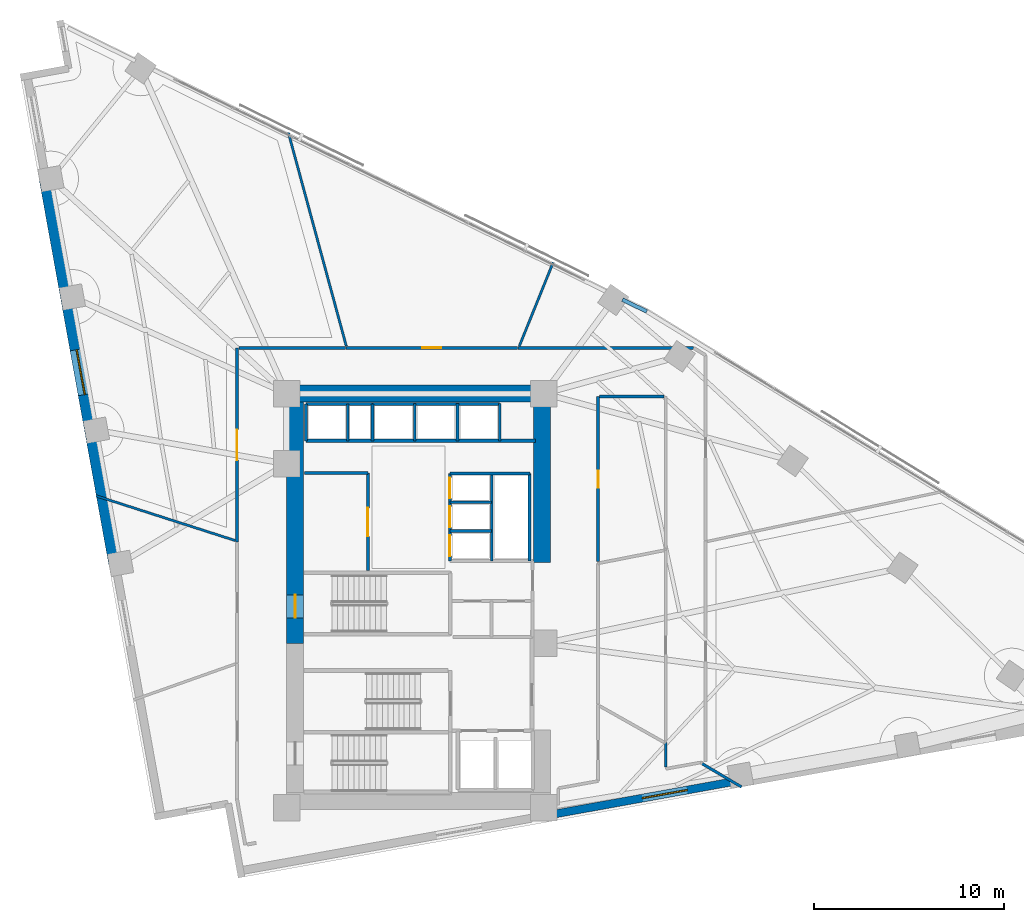
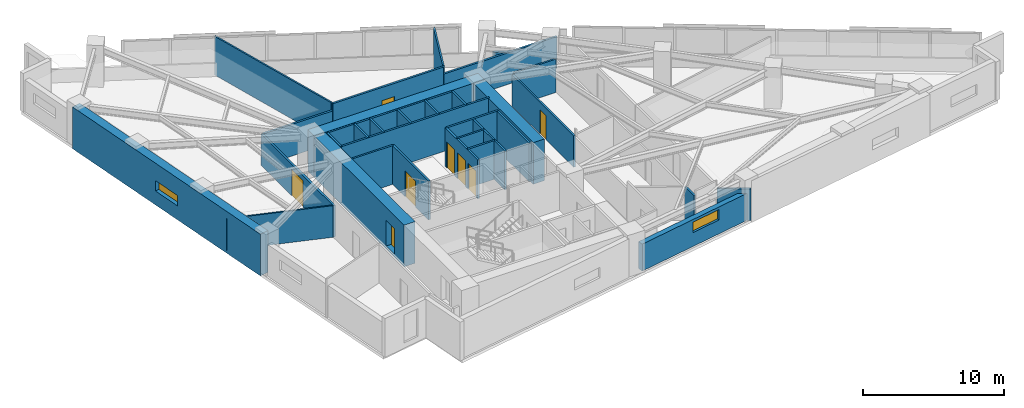
# One storey, part 14 of 18: 34 walls, 8 doors, 2 windows, 10 openings.
"""IFC4 building model written with IfcOpenShell, lengths in metres."""

from ifc_helpers import new_model, si_unit, direction, frame, frame_2d, origin, place, context, subcontext, project, spatial, rectangle, extrude, material, layer, layer_set, type_object, element, fill, save


model = new_model("IFC4")

# Units and contexts
model_context = context("Model", 3, precision=1e-05, world=origin(), true_north=direction((0.0, 1.0)))
body_context = subcontext(model_context, "Body", "Model", "MODEL_VIEW")
ifc_project = project(units=[si_unit("LENGTHUNIT", "METRE"), si_unit("AREAUNIT", "SQUARE_METRE"), si_unit("VOLUMEUNIT", "CUBIC_METRE"), si_unit("PLANEANGLEUNIT", "RADIAN"), si_unit("MASSUNIT", "GRAM", prefix="KILO")], contexts=[model_context])

# Site, building, storey
site_placement = place(None, origin())
site = spatial("IfcSite", under=ifc_project, at=site_placement, CompositionType="ELEMENT")
building_placement = place(site_placement, origin())
building = spatial("IfcBuilding", under=site, at=building_placement, Name="Narakoshi Arena Tower", CompositionType="ELEMENT")
storey_placement = place(building_placement, frame((0.0, 0.0, 110.10009765625)))
storey = spatial("IfcBuildingStorey", under=building, at=storey_placement, Name="L29", CompositionType="ELEMENT", Elevation=110.10009765625)

# Wall, opening, door
ifc_material_1 = material(Name="Concrete C60/75", Category="concrete")
ifc_layer_1 = layer(ifc_material_1, 0.89990234375)
ifc_layer_set_1 = layer_set([ifc_layer_1], Name="Concrete C60/75")
wall_type_1 = type_object("IfcWallType", Name="WL-CORE-900", PredefinedType="SHEAR", material=ifc_layer_set_1)
wall_1_placement = place(storey_placement, frame((72.449951171875, 43.35009765625, -0.260009765625), z_axis=(0.0, 0.0, 1.0), x_axis=(0.0, 1.0, 0.0)))
wall_1 = element("IfcWall", 1, at=wall_1_placement, inside=storey, type_object=wall_type_1, Name="L29 Main Core Shear Wall CW-MN-W", PredefinedType="SHEAR", context=body_context, shape_type="SweptSolid", body=[
    extrude(rectangle(XDim=12.699951171875, YDim=0.89990234375, at=frame_2d((6.35009765625, 0.0))), origin(), (0.0, 0.0, 1.0), 3.599853515625),
])
opening_1_placement = place(wall_1_placement, frame((1.35009765625, 0.0, 0.260009765625)))
opening_1 = element("IfcOpeningElement", 2, at=opening_1_placement, cuts=wall_1, Name="Opening D-03", PredefinedType="OPENING", context=body_context, shape_type="SweptSolid", body=[
    extrude(rectangle(XDim=1.199951171875, YDim=2.199951171875, at=frame_2d((0.60009765625, 1.10009765625))), frame((0.0, 0.4599609375, 0.0), z_axis=(0.0, -1.0, 0.0), x_axis=(1.0, 0.0, 0.0)), (0.0, 0.0, 1.0), 0.919921875),
])
ifc_material_2 = material(Name="Painted galvanized steel", Category="steel")
door_type_1 = type_object("IfcDoorType", Name="DR-STR-1200", OperationType="NOTDEFINED", PredefinedType="USERDEFINED", material=ifc_material_2)
door_1_placement = place(opening_1_placement, frame((1.199951171875, 0.0, 0.0), z_axis=(0.0, 0.0, 1.0), x_axis=(-1.0, 0.0, 0.0)))
door_1 = element("IfcDoor", 3, at=door_1_placement, inside=storey, type_object=door_type_1, Name="DR-L29-006", ObjectType="EXITDOOR", OperationType="SINGLE_SWING_LEFT", OverallHeight=2.199951171875, OverallWidth=1.199951171875, PredefinedType="USERDEFINED", context=body_context, shape_type="SweptSolid", body=[
    extrude(rectangle(XDim=1.199951171875, YDim=2.199951171875, at=frame_2d((0.60009765625, 1.10009765625))), frame((0.0, 0.02490234375, 0.0), z_axis=(0.0, -1.0, 0.0), x_axis=(1.0, 0.0, 0.0)), (0.0, 0.0, 1.0), 0.050048828125),
])
fill(opening_1, door_1)

# Walls
wall_2_placement = place(storey_placement, frame((72.0, 56.5, -0.260009765625), z_axis=(0.0, 0.0, 1.0), x_axis=(1.0, 0.0, 0.0)))
element("IfcWall", 4, at=wall_2_placement, inside=storey, type_object=wall_type_1, Name="L29 Main Core Shear Wall CW-MN-N", PredefinedType="SHEAR", context=body_context, shape_type="SweptSolid", body=[
    extrude(rectangle(XDim=13.89990234375, YDim=0.89990234375, at=frame_2d((6.949951171875, 0.0))), origin(), (0.0, 0.0, 1.0), 3.599853515625),
])
wall_3_placement = place(storey_placement, frame((85.449951171875, 47.60009765625, -0.260009765625), z_axis=(0.0, 0.0, 1.0), x_axis=(0.0, 1.0, 0.0)))
element("IfcWall", 5, at=wall_3_placement, inside=storey, type_object=wall_type_1, Name="L29 Main Core Shear Wall CW-MN-E", PredefinedType="SHEAR", context=body_context, shape_type="SweptSolid", body=[
    extrude(rectangle(XDim=8.449951171875, YDim=0.89990234375, at=frame_2d((4.22509765625, 0.0))), origin(), (0.0, 0.0, 1.0), 3.599853515625),
])
ifc_material_3 = material(Name="Gypsum plasterboard fire-rated partition")
ifc_layer_2 = layer(ifc_material_3, 0.1650390625)
ifc_layer_set_2 = layer_set([ifc_layer_2], Name="Gypsum plasterboard fire-rated partition")
wall_type_2 = type_object("IfcWallType", Name="WL-CORR-165", PredefinedType="PARTITIONING", material=ifc_layer_set_2)
wall_4_placement = place(storey_placement, frame((93.42724609375, 58.908935546875, 0.0), z_axis=(0.0, 0.0, 1.0), x_axis=(-1.0, 0.0, 0.0)))
element("IfcWall", 6, at=wall_4_placement, inside=storey, type_object=wall_type_2, Name="L29 Corridor Partition 05-2", PredefinedType="PARTITIONING", context=body_context, shape_type="SweptSolid", body=[
    extrude(rectangle(XDim=9.250732421875, YDim=0.1650390625, at=frame_2d((4.62548828125, 0.0))), origin(), (0.0, 0.0, 1.0), 2.724853515625),
])

# Wall, opening, door
wall_5_placement = place(storey_placement, frame((84.150634765625, 58.908935546875, 0.0), z_axis=(0.0, 0.0, 1.0), x_axis=(-1.0, 0.0, 0.0)))
wall_5 = element("IfcWall", 7, at=wall_5_placement, inside=storey, type_object=wall_type_2, Name="L29 Corridor Partition 07-1", PredefinedType="PARTITIONING", context=body_context, shape_type="SweptSolid", body=[
    extrude(rectangle(XDim=9.0166015625, YDim=0.1650390625, at=frame_2d((4.50830078125, 0.0))), origin(), (0.0, 0.0, 1.0), 3.33984375),
])
opening_2_placement = place(wall_5_placement, frame((4.00830078125, 0.0, 0.0)))
opening_2 = element("IfcOpeningElement", 8, at=opening_2_placement, cuts=wall_5, Name="Opening D-06", PredefinedType="OPENING", context=body_context, shape_type="SweptSolid", body=[
    extrude(rectangle(XDim=1.0, YDim=2.199951171875, at=frame_2d((0.5, 1.10009765625))), frame((0.0, 0.092529296875, 0.0), z_axis=(0.0, -1.0, 0.0), x_axis=(1.0, 0.0, 0.0)), (0.0, 0.0, 1.0), 0.18505859375),
])
ifc_material_4 = material(Name="Stained oak solid-core timber", Category="wood")
door_type_2 = type_object("IfcDoorType", Name="DR-OFF-1000", OperationType="NOTDEFINED", PredefinedType="DOOR", material=ifc_material_4)
door_2_placement = place(opening_2_placement, frame((1.0, 0.0, 0.0), z_axis=(0.0, 0.0, 1.0), x_axis=(-1.0, 0.0, 0.0)))
door_2 = element("IfcDoor", 9, at=door_2_placement, inside=storey, type_object=door_type_2, Name="DR-L29-020", OperationType="SINGLE_SWING_LEFT", OverallHeight=2.199951171875, OverallWidth=1.0, PredefinedType="DOOR", context=body_context, shape_type="SweptSolid", body=[
    extrude(rectangle(XDim=1.0, YDim=2.199951171875, at=frame_2d((0.5, 1.10009765625))), frame((0.0, 0.02490234375, 0.0), z_axis=(0.0, -1.0, 0.0), x_axis=(1.0, 0.0, 0.0)), (0.0, 0.0, 1.0), 0.050048828125),
])
fill(opening_2, door_2)

wall_6_placement = place(storey_placement, frame((69.388916015625, 58.908935546875, 0.0), z_axis=(0.0, 0.0, 1.0), x_axis=(0.0, -1.0, 0.0)))
wall_6 = element("IfcWall", 10, at=wall_6_placement, inside=storey, type_object=wall_type_2, Name="L29 Corridor Partition 08-1", PredefinedType="PARTITIONING", context=body_context, shape_type="SweptSolid", body=[
    extrude(rectangle(XDim=10.211181640625, YDim=0.1650390625, at=frame_2d((5.10546875, 0.0))), origin(), (0.0, 0.0, 1.0), 2.724853515625),
])
opening_3_placement = place(wall_6_placement, frame((4.3056640625, 0.0, 0.0)))
opening_3 = element("IfcOpeningElement", 11, at=opening_3_placement, cuts=wall_6, Name="Opening D-05", PredefinedType="OPENING", context=body_context, shape_type="SweptSolid", body=[
    extrude(rectangle(XDim=1.60009765625, YDim=2.300048828125, at=frame_2d((0.800048828125, 1.14990234375))), frame((0.0, 0.092529296875, 0.0), z_axis=(0.0, -1.0, 0.0), x_axis=(1.0, 0.0, 0.0)), (0.0, 0.0, 1.0), 0.18505859375),
])
door_type_3 = type_object("IfcDoorType", Name="DR-STE-1600", OperationType="DOUBLE_DOOR_SINGLE_SWING", PredefinedType="DOOR", material=ifc_material_4)
door_3_placement = place(opening_3_placement, frame((1.60009765625, 0.0, 0.0), z_axis=(0.0, 0.0, 1.0), x_axis=(-1.0, 0.0, 0.0)))
door_3 = element("IfcDoor", 12, at=door_3_placement, inside=storey, type_object=door_type_3, Name="DR-L29-021", OperationType="DOUBLE_DOOR_SINGLE_SWING", OverallHeight=2.300048828125, OverallWidth=1.60009765625, PredefinedType="DOOR", context=body_context, shape_type="SweptSolid", body=[
    extrude(rectangle(XDim=1.60009765625, YDim=2.300048828125, at=frame_2d((0.800048828125, 1.14990234375))), frame((0.0, 0.02490234375, 0.0), z_axis=(0.0, -1.0, 0.0), x_axis=(1.0, 0.0, 0.0)), (0.0, 0.0, 1.0), 0.050048828125),
])
fill(opening_3, door_3)

# Wall
wall_7_placement = place(storey_placement, frame((75.109130859375, 58.908935546875, 0.0), z_axis=(0.0, 0.0, 1.0), x_axis=(-1.0, 0.0, 0.0)))
element("IfcWall", 13, at=wall_7_placement, inside=storey, type_object=wall_type_2, Name="L29 Corridor Partition 08-2", PredefinedType="PARTITIONING", context=body_context, shape_type="SweptSolid", body=[
    extrude(rectangle(XDim=5.625732421875, YDim=0.1650390625, at=frame_2d((2.81298828125, 0.0))), origin(), (0.0, 0.0, 1.0), 2.724853515625),
])

# Wall, opening, window
ifc_layer_3 = layer(ifc_material_1, 0.699951171875)
ifc_layer_set_3 = layer_set([ifc_layer_3], Name="Concrete C60/75")
wall_type_3 = type_object("IfcWallType", Name="WL-LEG-700", PredefinedType="SHEAR", material=ifc_layer_set_3)
wall_8_placement = place(storey_placement, frame((59.327880859375, 67.767822265625, -0.260009765625), z_axis=(0.0, 0.0, 1.0), x_axis=(0.177933213615, -0.984042565895, 0.0)))
wall_8 = element("IfcWall", 14, at=wall_8_placement, inside=storey, type_object=wall_type_3, Name="L29 Architectural Concrete Structural Wall LEGB-2", PredefinedType="SHEAR", context=body_context, shape_type="SweptSolid", body=[
    extrude(rectangle(XDim=20.57861328125, YDim=0.699951171875, at=frame_2d((10.289306640625, 0.0))), origin(), (0.0, 0.0, 1.0), 3.599853515625),
])
opening_4_placement = place(wall_8_placement, frame((9.10009765625, 0.0, 1.199951171875)))
opening_4 = element("IfcOpeningElement", 15, at=opening_4_placement, cuts=wall_8, Name="Opening WN-01", PredefinedType="OPENING", context=body_context, shape_type="SweptSolid", body=[
    extrude(rectangle(XDim=2.39990234375, YDim=0.89990234375, at=frame_2d((1.199951171875, 0.449951171875))), frame((0.0, 0.35986328125, 0.0), z_axis=(0.0, -1.0, 0.0), x_axis=(1.0, 0.0, 0.0)), (0.0, 0.0, 1.0), 0.719970703125),
])
ifc_material_5 = material(Name="Bronze-tinted low-E laminated glass", Category="glass")
window_type = type_object("IfcWindowType", Name="WIN-SLT-24x09", PartitioningType="SINGLE_PANEL", PredefinedType="WINDOW", material=ifc_material_5)
window_1_placement = place(opening_4_placement, origin())
window_1 = element("IfcWindow", 16, at=window_1_placement, inside=storey, type_object=window_type, Name="L29 LEGB2 Horizontal Slot Window 1", OverallHeight=0.89990234375, OverallWidth=2.39990234375, PartitioningType="SINGLE_PANEL", PredefinedType="WINDOW", context=body_context, shape_type="SweptSolid", body=[
    extrude(rectangle(XDim=2.39990234375, YDim=0.89990234375, at=frame_2d((1.199951171875, 0.449951171875))), frame((0.0, 0.030029296875, 0.0), z_axis=(0.0, -1.0, 0.0), x_axis=(1.0, 0.0, 0.0)), (0.0, 0.0, 1.0), 0.06005859375),
])
fill(opening_4, window_1)

# Walls
ifc_material_6 = material(Name="Precast concrete C45/55", Category="concrete")
ifc_layer_4 = layer(ifc_material_6, 0.25)
ifc_layer_set_4 = layer_set([ifc_layer_4], Name="Precast concrete C45/55")
wall_type_4 = type_object("IfcWallType", Name="WL-PARA-250", PredefinedType="PARAPET", material=ifc_layer_set_4)
wall_9_placement = place(storey_placement, frame((90.96435546875, 60.821533203125, 0.0), z_axis=(0.0, 0.0, 1.0), x_axis=(-0.898000468284, 0.439994498787, 0.0)))
element("IfcWall", 17, at=wall_9_placement, inside=storey, type_object=wall_type_4, Name="L29 Hypotenuse Sill Upstand Parapet 2-01", PredefinedType="PARAPET", context=body_context, shape_type="SweptSolid", body=[
    extrude(rectangle(XDim=1.42333984375, YDim=0.199951171875, at=frame_2d((0.711669921875, 0.0))), origin(), (0.0, 0.0, 1.0), 1.14990234375),
])
ifc_layer_5 = layer(ifc_material_3, 0.125)
ifc_layer_set_5 = layer_set([ifc_layer_5], Name="Gypsum plasterboard fire-rated partition")
wall_type_5 = type_object("IfcWallType", Name="WL-PART-125", PredefinedType="PARTITIONING", material=ifc_layer_set_5)
wall_10_placement = place(storey_placement, frame((84.253662109375, 59.00341796875, 0.0), z_axis=(0.0, 0.0, 1.0), x_axis=(0.374883024876, 0.927072121067, 0.0)))
element("IfcWall", 18, at=wall_10_placement, inside=storey, type_object=wall_type_5, Name="L29 Inter-Room Partition 05-07", PredefinedType="PARTITIONING", context=body_context, shape_type="SweptSolid", body=[
    extrude(rectangle(XDim=4.75732421875, YDim=0.125, at=frame_2d((2.378662109375, 0.0))), origin(), (0.0, 0.0, 1.0), 3.33984375),
])
wall_11_placement = place(storey_placement, frame((75.1435546875, 59.00341796875, 0.0), z_axis=(0.0, 0.0, 1.0), x_axis=(-0.261861678482, 0.965105414627, 0.0)))
element("IfcWall", 19, at=wall_11_placement, inside=storey, type_object=wall_type_5, Name="L29 Inter-Room Partition 07-08", PredefinedType="PARTITIONING", context=body_context, shape_type="SweptSolid", body=[
    extrude(rectangle(XDim=11.6494140625, YDim=0.125, at=frame_2d((5.82470703125, 0.0))), origin(), (0.0, 0.0, 1.0), 3.33984375),
])
wall_12_placement = place(storey_placement, frame((69.294189453125, 48.76611328125, 0.0), z_axis=(0.0, 0.0, 1.0), x_axis=(-0.952039476867, 0.305975218747, 0.0)))
element("IfcWall", 20, at=wall_12_placement, inside=storey, type_object=wall_type_5, Name="L29 Inter-Room Partition 08-09", PredefinedType="PARTITIONING", context=body_context, shape_type="SweptSolid", body=[
    extrude(rectangle(XDim=7.67919921875, YDim=0.125, at=frame_2d((3.839599609375, 0.0))), origin(), (0.0, 0.0, 1.0), 2.724853515625),
])

# Wall, opening, window
ifc_layer_6 = layer(ifc_material_6, 0.419921875)
ifc_layer_set_6 = layer_set([ifc_layer_6], Name="Precast concrete C45/55")
wall_type_6 = type_object("IfcWallType", Name="WL-POD-420", PredefinedType="SOLIDWALL", material=ifc_layer_set_6)
wall_13_placement = place(storey_placement, frame((86.10009765625, 34.3671875, 0.0), z_axis=(0.0, 0.0, 1.0), x_axis=(0.9840437071, 0.177926902172, 0.0)))
wall_13 = element("IfcWall", 21, at=wall_13_placement, inside=storey, type_object=wall_type_6, Name="L29 Architectural Concrete Facade Wall LEGA-2", PredefinedType="SOLIDWALL", context=body_context, shape_type="SweptSolid", body=[
    extrude(rectangle(XDim=9.997314453125, YDim=0.419921875, at=frame_2d((4.99853515625, 0.0))), origin(), (0.0, 0.0, 1.0), 2.324951171875),
])
opening_5_placement = place(wall_13_placement, frame((4.702392578125, 0.0, 1.199951171875)))
opening_5 = element("IfcOpeningElement", 22, at=opening_5_placement, cuts=wall_13, Name="Opening WN-01", PredefinedType="OPENING", context=body_context, shape_type="SweptSolid", body=[
    extrude(rectangle(XDim=2.39990234375, YDim=0.89990234375, at=frame_2d((1.199951171875, 0.449951171875))), frame((0.0, 0.219970703125, 0.0), z_axis=(0.0, -1.0, 0.0), x_axis=(1.0, 0.0, 0.0)), (0.0, 0.0, 1.0), 0.43994140625),
])
window_2_placement = place(opening_5_placement, origin())
window_2 = element("IfcWindow", 23, at=window_2_placement, inside=storey, type_object=window_type, Name="L29 LEGA2 Horizontal Slot Window 1", OverallHeight=0.89990234375, OverallWidth=2.39990234375, PartitioningType="SINGLE_PANEL", PredefinedType="WINDOW", context=body_context, shape_type="SweptSolid", body=[
    extrude(rectangle(XDim=2.39990234375, YDim=0.89990234375, at=frame_2d((1.199951171875, 0.449951171875))), frame((0.0, 0.030029296875, 0.0), z_axis=(0.0, -1.0, 0.0), x_axis=(1.0, 0.0, 0.0)), (0.0, 0.0, 1.0), 0.06005859375),
])
fill(opening_5, window_2)

# Walls
ifc_material_7 = material(Name="Concrete C40/50", Category="concrete")
ifc_layer_7 = layer(ifc_material_7, 0.280029296875)
ifc_layer_set_7 = layer_set([ifc_layer_7], Name="Concrete C40/50")
wall_type_7 = type_object("IfcWallType", Name="WL-RISER-280", PredefinedType="PLUMBINGWALL", material=ifc_layer_set_7)
for number, where, z_axis, x_axis, name in (
    (24, (80.60009765625, 49.260009765625, 0.0), (0.0, 0.0, 1.0), (1.0, 0.0, 0.0), "L29 Core Wall MR-D1"),
    (25, (80.60009765625, 50.780029296875, 0.0), (0.0, 0.0, 1.0), (1.0, 0.0, 0.0), "L29 Core Wall MR-D2"),
):
    element("IfcWall", number, at=place(storey_placement, frame(where, z_axis=z_axis, x_axis=x_axis)), inside=storey, type_object=wall_type_7, Name=name, PredefinedType="PLUMBINGWALL", context=body_context, shape_type="SweptSolid", body=[
        extrude(rectangle(XDim=2.199951171875, YDim=0.14990234375, at=frame_2d((1.10009765625, 0.0))), origin(), (0.0, 0.0, 1.0), 3.33984375),
    ])
wall_14_placement = place(storey_placement, frame((82.800048828125, 47.699951171875, 0.0), z_axis=(0.0, 0.0, 1.0), x_axis=(0.0, 1.0, 0.0)))
element("IfcWall", 26, at=wall_14_placement, inside=storey, type_object=wall_type_7, Name="L29 Core Wall MR-E", PredefinedType="PLUMBINGWALL", context=body_context, shape_type="SweptSolid", body=[
    extrude(rectangle(XDim=4.60009765625, YDim=0.14990234375, at=frame_2d((2.300048828125, 0.0))), origin(), (0.0, 0.0, 1.0), 3.33984375),
])
for number, where, z_axis, x_axis, name in (
    (27, (73.02001953125, 54.02001953125, 0.0), (0.0, 0.0, 1.0), (0.0, 1.0, 0.0), "L29 Core Wall OBS-W"),
    (28, (75.219970703125, 54.02001953125, 0.0), (0.0, 0.0, 1.0), (0.0, 1.0, 0.0), "L29 Core Wall OBS-M"),
):
    element("IfcWall", number, at=place(storey_placement, frame(where, z_axis=z_axis, x_axis=x_axis)), inside=storey, type_object=wall_type_7, Name=name, PredefinedType="PLUMBINGWALL", context=body_context, shape_type="SweptSolid", body=[
        extrude(rectangle(XDim=1.93994140625, YDim=0.14990234375, at=frame_2d((0.969970703125, 0.0))), origin(), (0.0, 0.0, 1.0), 3.33984375),
    ])
for number, where, z_axis, x_axis, name in (
    (29, (78.75, 54.02001953125, 0.0), (0.0, 0.0, 1.0), (0.0, 1.0, 0.0), "L29 Core Wall HR-D1"),
    (30, (81.0, 54.02001953125, 0.0), (0.0, 0.0, 1.0), (0.0, 1.0, 0.0), "L29 Core Wall HR-D2"),
):
    element("IfcWall", number, at=place(storey_placement, frame(where, z_axis=z_axis, x_axis=x_axis)), inside=storey, type_object=wall_type_7, Name=name, PredefinedType="PLUMBINGWALL", context=body_context, shape_type="SweptSolid", body=[
        extrude(rectangle(XDim=1.9599609375, YDim=0.14990234375, at=frame_2d((0.97998046875, 0.0))), origin(), (0.0, 0.0, 1.0), 3.33984375),
    ])

# Wall, opening, door
ifc_material_8 = material(Name="Concrete C50/60", Category="concrete")
ifc_layer_8 = layer(ifc_material_8, 0.35009765625)
ifc_layer_set_8 = layer_set([ifc_layer_8], Name="Concrete C50/60")
wall_type_8 = type_object("IfcWallType", Name="WL-SHAFT-350", PredefinedType="SOLIDWALL", material=ifc_layer_set_8)
wall_15_placement = place(storey_placement, frame((76.280029296875, 47.179931640625, 0.0), z_axis=(0.0, 0.0, 1.0), x_axis=(0.0, 1.0, 0.0)))
wall_15 = element("IfcWall", 31, at=wall_15_placement, inside=storey, type_object=wall_type_8, Name="L29 Core Wall LR-E", PredefinedType="SOLIDWALL", context=body_context, shape_type="SweptSolid", body=[
    extrude(rectangle(XDim=5.14013671875, YDim=0.159912109375, at=frame_2d((2.570068359375, 0.0))), origin(), (0.0, 0.0, 1.0), 3.33984375),
])
opening_6_placement = place(wall_15_placement, frame((1.800048828125, 0.0, 0.0)))
opening_6 = element("IfcOpeningElement", 32, at=opening_6_placement, cuts=wall_15, Name="Opening D-09", PredefinedType="OPENING", context=body_context, shape_type="SweptSolid", body=[
    extrude(rectangle(XDim=1.5, YDim=2.25, at=frame_2d((0.75, 1.125))), frame((0.0, 0.08984375, 0.0), z_axis=(0.0, -1.0, 0.0), x_axis=(1.0, 0.0, 0.0)), (0.0, 0.0, 1.0), 0.179931640625),
])
door_type_4 = type_object("IfcDoorType", Name="DR-PLT-1500", OperationType="DOUBLE_DOOR_SINGLE_SWING", PredefinedType="DOOR", material=ifc_material_2)
door_4_placement = place(opening_6_placement, frame((1.5, 0.0, 0.0), z_axis=(0.0, 0.0, 1.0), x_axis=(-1.0, 0.0, 0.0)))
door_4 = element("IfcDoor", 33, at=door_4_placement, inside=storey, type_object=door_type_4, Name="DR-L29-010", OperationType="DOUBLE_DOOR_SINGLE_SWING", OverallHeight=2.25, OverallWidth=1.5, PredefinedType="DOOR", context=body_context, shape_type="SweptSolid", body=[
    extrude(rectangle(XDim=1.5, YDim=2.25, at=frame_2d((0.75, 1.125))), frame((0.0, 0.02490234375, 0.0), z_axis=(0.0, -1.0, 0.0), x_axis=(1.0, 0.0, 0.0)), (0.0, 0.0, 1.0), 0.050048828125),
])
fill(opening_6, door_4)

# Wall
wall_16_placement = place(storey_placement, frame((72.949951171875, 52.320068359375, 0.0), z_axis=(0.0, 0.0, 1.0), x_axis=(1.0, 0.0, 0.0)))
element("IfcWall", 34, at=wall_16_placement, inside=storey, type_object=wall_type_8, Name="L29 Core Wall LR-N", PredefinedType="SOLIDWALL", context=body_context, shape_type="SweptSolid", body=[
    extrude(rectangle(XDim=3.330078125, YDim=0.14990234375, at=frame_2d((1.6650390625, 0.0))), origin(), (0.0, 0.0, 1.0), 3.33984375),
])

# Wall, openings, doors
wall_17_placement = place(storey_placement, frame((80.60009765625, 47.699951171875, 0.0), z_axis=(0.0, 0.0, 1.0), x_axis=(0.0, 1.0, 0.0)))
wall_17 = element("IfcWall", 35, at=wall_17_placement, inside=storey, type_object=wall_type_8, Name="L29 Core Wall MR-W", PredefinedType="SOLIDWALL", context=body_context, shape_type="SweptSolid", body=[
    extrude(rectangle(XDim=4.60009765625, YDim=0.159912109375, at=frame_2d((2.300048828125, 0.0))), origin(), (0.0, 0.0, 1.0), 3.33984375),
])
opening_7_placement = place(wall_17_placement, frame((0.239990234375, 0.0, 0.0)))
opening_7 = element("IfcOpeningElement", 36, at=opening_7_placement, cuts=wall_17, Name="Opening LD-01", PredefinedType="OPENING", context=body_context, shape_type="SweptSolid", body=[
    extrude(rectangle(XDim=1.10009765625, YDim=2.25, at=frame_2d((0.550048828125, 1.125))), frame((0.0, 0.08984375, 0.0), z_axis=(0.0, -1.0, 0.0), x_axis=(1.0, 0.0, 0.0)), (0.0, 0.0, 1.0), 0.179931640625),
])
opening_8_placement = place(wall_17_placement, frame((1.760009765625, 0.0, 0.0)))
opening_8 = element("IfcOpeningElement", 37, at=opening_8_placement, cuts=wall_17, Name="Opening LD-01", PredefinedType="OPENING", context=body_context, shape_type="SweptSolid", body=[
    extrude(rectangle(XDim=1.10009765625, YDim=2.25, at=frame_2d((0.550048828125, 1.125))), frame((0.0, 0.08984375, 0.0), z_axis=(0.0, -1.0, 0.0), x_axis=(1.0, 0.0, 0.0)), (0.0, 0.0, 1.0), 0.179931640625),
])
opening_9_placement = place(wall_17_placement, frame((3.280029296875, 0.0, 0.0)))
opening_9 = element("IfcOpeningElement", 38, at=opening_9_placement, cuts=wall_17, Name="Opening LD-01", PredefinedType="OPENING", context=body_context, shape_type="SweptSolid", body=[
    extrude(rectangle(XDim=1.10009765625, YDim=2.25, at=frame_2d((0.550048828125, 1.125))), frame((0.0, 0.08984375, 0.0), z_axis=(0.0, -1.0, 0.0), x_axis=(1.0, 0.0, 0.0)), (0.0, 0.0, 1.0), 0.179931640625),
])
ifc_material_9 = material(Name="Brushed bronze stainless steel", Category="steel")
door_type_5 = type_object("IfcDoorType", Name="DR-LFT-1100", OperationType="DOUBLE_DOOR_SLIDING", PredefinedType="DOOR", material=ifc_material_9)
door_5_placement = place(opening_7_placement, frame((1.10009765625, 0.0, 0.0), z_axis=(0.0, 0.0, 1.0), x_axis=(-1.0, 0.0, 0.0)))
door_5 = element("IfcDoor", 39, at=door_5_placement, inside=storey, type_object=door_type_5, Name="DR-L29-011", OperationType="DOUBLE_DOOR_SLIDING", OverallHeight=2.25, OverallWidth=1.10009765625, PredefinedType="DOOR", context=body_context, shape_type="SweptSolid", body=[
    extrude(rectangle(XDim=1.10009765625, YDim=2.25, at=frame_2d((0.550048828125, 1.125))), frame((0.0, 0.02490234375, 0.0), z_axis=(0.0, -1.0, 0.0), x_axis=(1.0, 0.0, 0.0)), (0.0, 0.0, 1.0), 0.050048828125),
])
fill(opening_7, door_5)
door_6_placement = place(opening_8_placement, frame((1.10009765625, 0.0, 0.0), z_axis=(0.0, 0.0, 1.0), x_axis=(-1.0, 0.0, 0.0)))
door_6 = element("IfcDoor", 40, at=door_6_placement, inside=storey, type_object=door_type_5, Name="DR-L29-012", OperationType="DOUBLE_DOOR_SLIDING", OverallHeight=2.25, OverallWidth=1.10009765625, PredefinedType="DOOR", context=body_context, shape_type="SweptSolid", body=[
    extrude(rectangle(XDim=1.10009765625, YDim=2.25, at=frame_2d((0.550048828125, 1.125))), frame((0.0, 0.02490234375, 0.0), z_axis=(0.0, -1.0, 0.0), x_axis=(1.0, 0.0, 0.0)), (0.0, 0.0, 1.0), 0.050048828125),
])
fill(opening_8, door_6)
door_7_placement = place(opening_9_placement, frame((1.10009765625, 0.0, 0.0), z_axis=(0.0, 0.0, 1.0), x_axis=(-1.0, 0.0, 0.0)))
door_7 = element("IfcDoor", 41, at=door_7_placement, inside=storey, type_object=door_type_5, Name="DR-L29-013", OperationType="DOUBLE_DOOR_SLIDING", OverallHeight=2.25, OverallWidth=1.10009765625, PredefinedType="DOOR", context=body_context, shape_type="SweptSolid", body=[
    extrude(rectangle(XDim=1.10009765625, YDim=2.25, at=frame_2d((0.550048828125, 1.125))), frame((0.0, 0.02490234375, 0.0), z_axis=(0.0, -1.0, 0.0), x_axis=(1.0, 0.0, 0.0)), (0.0, 0.0, 1.0), 0.050048828125),
])
fill(opening_9, door_7)

# Walls
wall_18_placement = place(storey_placement, frame((80.60009765625, 52.300048828125, 0.0), z_axis=(0.0, 0.0, 1.0), x_axis=(1.0, 0.0, 0.0)))
element("IfcWall", 42, at=wall_18_placement, inside=storey, type_object=wall_type_8, Name="L29 Core Wall MR-N", PredefinedType="SOLIDWALL", context=body_context, shape_type="SweptSolid", body=[
    extrude(rectangle(XDim=4.219970703125, YDim=0.159912109375, at=frame_2d((2.10986328125, 0.0))), origin(), (0.0, 0.0, 1.0), 3.33984375),
])
wall_19_placement = place(storey_placement, frame((84.780029296875, 47.699951171875, 0.0), z_axis=(0.0, 0.0, 1.0), x_axis=(0.0, 1.0, 0.0)))
element("IfcWall", 43, at=wall_19_placement, inside=storey, type_object=wall_type_8, Name="L29 Core Wall MR-E2", PredefinedType="SOLIDWALL", context=body_context, shape_type="SweptSolid", body=[
    extrude(rectangle(XDim=4.60009765625, YDim=0.159912109375, at=frame_2d((2.300048828125, 0.0))), origin(), (0.0, 0.0, 1.0), 3.33984375),
])
wall_20_placement = place(storey_placement, frame((73.02001953125, 54.02001953125, 0.0), z_axis=(0.0, 0.0, 1.0), x_axis=(1.0, 0.0, 0.0)))
element("IfcWall", 44, at=wall_20_placement, inside=storey, type_object=wall_type_8, Name="L29 Core Wall NSHF-S", PredefinedType="SOLIDWALL", context=body_context, shape_type="SweptSolid", body=[
    extrude(rectangle(XDim=12.080078125, YDim=0.159912109375, at=frame_2d((6.0400390625, 0.0))), origin(), (0.0, 0.0, 1.0), 3.33984375),
])
wall_21_placement = place(storey_placement, frame((73.02001953125, 55.9599609375, 0.0), z_axis=(0.0, 0.0, 1.0), x_axis=(1.0, 0.0, 0.0)))
element("IfcWall", 45, at=wall_21_placement, inside=storey, type_object=wall_type_8, Name="L29 Core Wall OBS-N", PredefinedType="SOLIDWALL", context=body_context, shape_type="SweptSolid", body=[
    extrude(rectangle(XDim=3.5, YDim=0.14990234375, at=frame_2d((1.75, 0.0))), origin(), (0.0, 0.0, 1.0), 3.33984375),
])
wall_22_placement = place(storey_placement, frame((76.52001953125, 54.02001953125, 0.0), z_axis=(0.0, 0.0, 1.0), x_axis=(0.0, 1.0, 0.0)))
element("IfcWall", 46, at=wall_22_placement, inside=storey, type_object=wall_type_8, Name="L29 Core Wall OBS-E", PredefinedType="SOLIDWALL", context=body_context, shape_type="SweptSolid", body=[
    extrude(rectangle(XDim=1.93994140625, YDim=0.14990234375, at=frame_2d((0.969970703125, 0.0))), origin(), (0.0, 0.0, 1.0), 3.33984375),
])
wall_23_placement = place(storey_placement, frame((83.219970703125, 54.02001953125, 0.0), z_axis=(0.0, 0.0, 1.0), x_axis=(0.0, 1.0, 0.0)))
element("IfcWall", 47, at=wall_23_placement, inside=storey, type_object=wall_type_8, Name="L29 Core Wall HR-E", PredefinedType="SOLIDWALL", context=body_context, shape_type="SweptSolid", body=[
    extrude(rectangle(XDim=1.9599609375, YDim=0.14990234375, at=frame_2d((0.97998046875, 0.0))), origin(), (0.0, 0.0, 1.0), 3.33984375),
])
wall_24_placement = place(storey_placement, frame((76.52001953125, 55.9599609375, 0.0), z_axis=(0.0, 0.0, 1.0), x_axis=(1.0, 0.0, 0.0)))
element("IfcWall", 48, at=wall_24_placement, inside=storey, type_object=wall_type_8, Name="L29 Core Wall HR-N", PredefinedType="SOLIDWALL", context=body_context, shape_type="SweptSolid", body=[
    extrude(rectangle(XDim=6.699951171875, YDim=0.14990234375, at=frame_2d((3.35009765625, 0.0))), origin(), (0.0, 0.0, 1.0), 3.33984375),
])
ifc_material_10 = material(Name="Moisture-resistant cement-board partition")
ifc_layer_9 = layer(ifc_material_10, 0.14501953125)
ifc_layer_set_9 = layer_set([ifc_layer_9], Name="Moisture-resistant cement-board partition")
wall_type_9 = type_object("IfcWallType", Name="WL-WET-145", PredefinedType="PARTITIONING", material=ifc_layer_set_9)
wall_25_placement = place(storey_placement, frame((91.961181640625, 38.124755859375, 0.0), z_axis=(0.0, 0.0, 1.0), x_axis=(0.0, -1.0, 0.0)))
element("IfcWall", 49, at=wall_25_placement, inside=storey, type_object=wall_type_9, Name="L29 Corridor Partition 02-4", PredefinedType="PARTITIONING", context=body_context, shape_type="SweptSolid", body=[
    extrude(rectangle(XDim=1.290771484375, YDim=0.14501953125, at=frame_2d((0.6455078125, 0.0))), origin(), (0.0, 0.0, 1.0), 2.875),
])
wall_26_placement = place(storey_placement, frame((93.875732421875, 37.0205078125, 0.0), z_axis=(0.0, 0.0, 1.0), x_axis=(0.860525041789, -0.509408139367, 0.0)))
element("IfcWall", 50, at=wall_26_placement, inside=storey, type_object=wall_type_9, Name="L29 Inter-Room Partition 02-04", PredefinedType="PARTITIONING", context=body_context, shape_type="SweptSolid", body=[
    extrude(rectangle(XDim=2.41064453125, YDim=0.14501953125, at=frame_2d((1.205322265625, 0.0))), origin(), (0.0, 0.0, 1.0), 2.724853515625),
])

# Wall, opening, door
wall_27_placement = place(storey_placement, frame((88.39990234375, 47.6533203125, 0.0), z_axis=(0.0, 0.0, 1.0), x_axis=(0.0, 1.0, 0.0)))
wall_27 = element("IfcWall", 51, at=wall_27_placement, inside=storey, type_object=wall_type_9, Name="L29 Corridor Partition 06-1", PredefinedType="PARTITIONING", context=body_context, shape_type="SweptSolid", body=[
    extrude(rectangle(XDim=8.69677734375, YDim=0.14501953125, at=frame_2d((4.348388671875, 0.0))), origin(), (0.0, 0.0, 1.0), 2.724853515625),
])
opening_10_placement = place(wall_27_placement, frame((3.898193359375, 0.0, 0.0)))
opening_10 = element("IfcOpeningElement", 52, at=opening_10_placement, cuts=wall_27, Name="Opening D-08", PredefinedType="OPENING", context=body_context, shape_type="SweptSolid", body=[
    extrude(rectangle(XDim=0.89990234375, YDim=2.10009765625, at=frame_2d((0.449951171875, 1.050048828125))), frame((0.0, 0.08251953125, 0.0), z_axis=(0.0, -1.0, 0.0), x_axis=(1.0, 0.0, 0.0)), (0.0, 0.0, 1.0), 0.1650390625),
])
ifc_material_11 = material(Name="Moisture-resistant laminate timber", Category="wood")
door_type_6 = type_object("IfcDoorType", Name="DR-WC-900", OperationType="NOTDEFINED", PredefinedType="DOOR", material=ifc_material_11)
door_8_placement = place(opening_10_placement, frame((0.89990234375, 0.0, 0.0), z_axis=(0.0, 0.0, 1.0), x_axis=(-1.0, 0.0, 0.0)))
door_8 = element("IfcDoor", 53, at=door_8_placement, inside=storey, type_object=door_type_6, Name="DR-L29-019", OperationType="SINGLE_SWING_LEFT", OverallHeight=2.10009765625, OverallWidth=0.89990234375, PredefinedType="DOOR", context=body_context, shape_type="SweptSolid", body=[
    extrude(rectangle(XDim=0.89990234375, YDim=2.10009765625, at=frame_2d((0.449951171875, 1.050048828125))), frame((0.0, 0.02490234375, 0.0), z_axis=(0.0, -1.0, 0.0), x_axis=(1.0, 0.0, 0.0)), (0.0, 0.0, 1.0), 0.050048828125),
])
fill(opening_10, door_8)

# Wall
wall_28_placement = place(storey_placement, frame((88.484619140625, 56.35009765625, 0.0), z_axis=(0.0, 0.0, 1.0), x_axis=(1.0, 0.0, 0.0)))
element("IfcWall", 54, at=wall_28_placement, inside=storey, type_object=wall_type_9, Name="L29 Corridor Partition 06-3", PredefinedType="PARTITIONING", context=body_context, shape_type="SweptSolid", body=[
    extrude(rectangle(XDim=3.39208984375, YDim=0.14501953125, at=frame_2d((1.696044921875, 0.0))), origin(), (0.0, 0.0, 1.0), 2.875),
])

save(model, "model.ifc")
